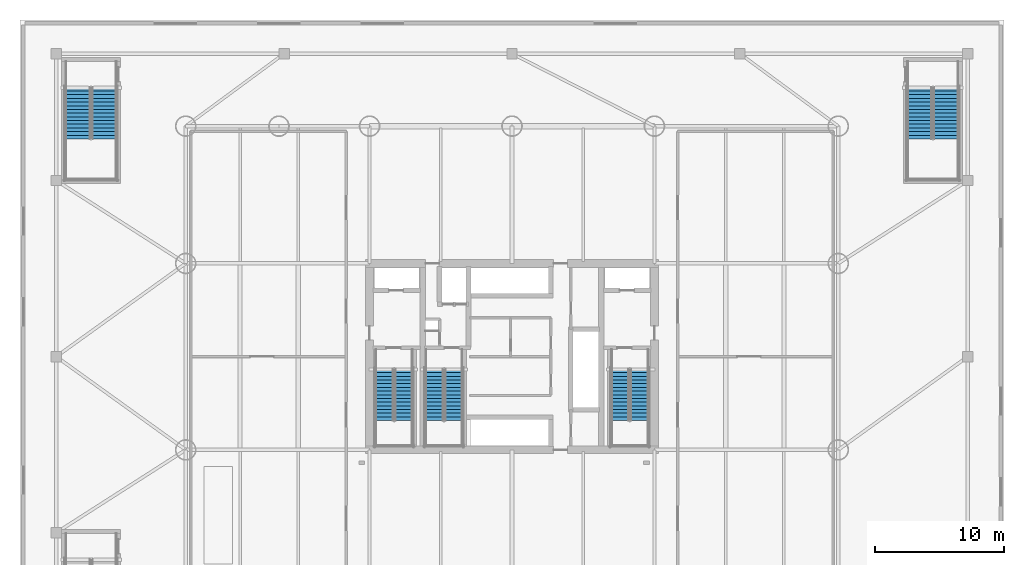
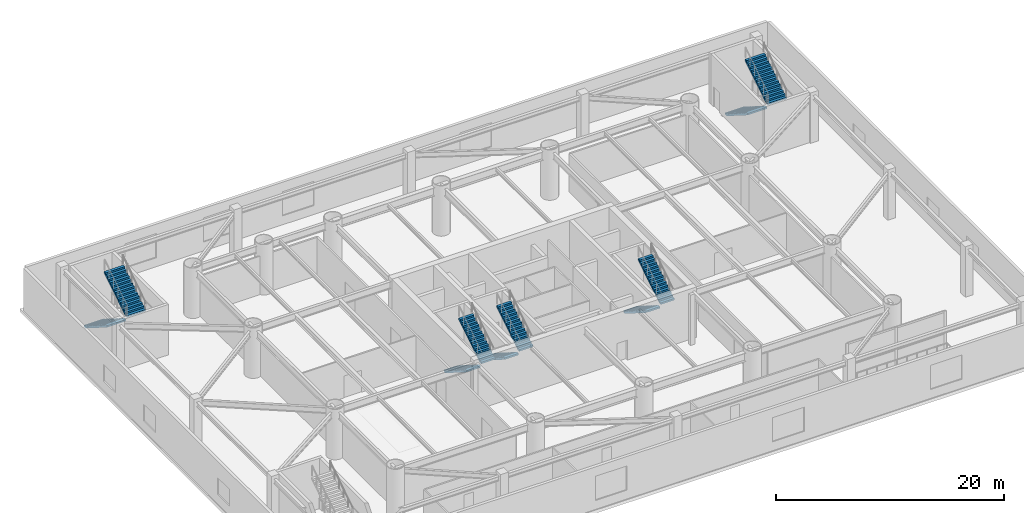
# One storey, part 9 of 16: 10 stair flights, 5 elements without a shape of their own.
"""IFC4 building model written with IfcOpenShell, lengths in metres."""

from ifc_helpers import new_model, si_unit, direction, frame, origin, place, context, subcontext, project, spatial, polyline, outline, extrude, material, type_object, element, aggregate, save


model = new_model("IFC4")

# Units and contexts
model_context = context("Model", 3, precision=1e-05, world=origin(), true_north=direction((0.0, 1.0)))
body_context = subcontext(model_context, "Body", "Model", "MODEL_VIEW")
ifc_project = project(units=[si_unit("LENGTHUNIT", "METRE"), si_unit("AREAUNIT", "SQUARE_METRE"), si_unit("VOLUMEUNIT", "CUBIC_METRE"), si_unit("PLANEANGLEUNIT", "RADIAN"), si_unit("MASSUNIT", "GRAM", prefix="KILO")], contexts=[model_context])

# Site, building, storey
site_placement = place(None, origin())
site = spatial("IfcSite", under=ifc_project, at=site_placement, CompositionType="ELEMENT")
building_placement = place(site_placement, origin())
building = spatial("IfcBuilding", under=site, at=building_placement, Name="Bramvorn Convention Spire", CompositionType="ELEMENT")
storey_placement = place(building_placement, frame((0.0, 0.0, 6.60009765625)))
storey = spatial("IfcBuildingStorey", under=building, at=storey_placement, Name="L01", CompositionType="ELEMENT", Elevation=6.60009765625)

# Stair, stair flights
ifc_material_1 = material(Name="Concrete C40/50 Grand Exit Stair", Category="concrete")
stair_type_1 = type_object("IfcStairType", Name="ST-PODIUM-1950", PredefinedType="HALF_TURN_STAIR", material=ifc_material_1)
stair_1_placement = place(storey_placement, origin())
stair_1 = element("IfcStair", 1, at=stair_1_placement, inside=storey, type_object=stair_type_1, Name="L01 Protected Exit Stair ST5", PredefinedType="HALF_TURN_STAIR")
ifc_material_2 = material(Name="Concrete C40/50 Precast Stair Flight", Category="concrete")
stair_flight_type_1 = type_object("IfcStairFlightType", Name="STF-PODIUM-1950", PredefinedType="STRAIGHT", material=ifc_material_2)
stair_flight_1_placement = place(storey_placement, frame((69.4951171875, 46.800048828125, 0.0), z_axis=(0.0, 0.0, 1.0), x_axis=(0.0, -1.0, 0.0)))
stair_flight_1 = element("IfcStairFlight", 2, at=stair_flight_1_placement, type_object=stair_flight_type_1, Name="ST5 flight 1", NumberOfRisers=15, NumberOfTreads=14, PredefinedType="STRAIGHT", RiserHeight=0.18, TreadLength=0.285, context=body_context, shape_type="SweptSolid", body=[
    extrude(outline(polyline([(0.0, 0.0), (0.0, 0.179931640625), (0.284912109375, 0.179931640625), (0.284912109375, 0.360107421875), (0.570068359375, 0.360107421875), (0.570068359375, 0.5400390625), (0.85498046875, 0.5400390625), (0.85498046875, 0.719970703125), (1.139892578125, 0.719970703125), (1.139892578125, 0.89990234375), (1.425048828125, 0.89990234375), (1.425048828125, 1.080078125), (1.7099609375, 1.080078125), (1.7099609375, 1.260009765625), (1.9951171875, 1.260009765625), (1.9951171875, 1.43994140625), (2.280029296875, 1.43994140625), (2.280029296875, 1.6201171875), (2.56494140625, 1.6201171875), (2.56494140625, 1.800048828125), (2.85009765625, 1.800048828125), (2.85009765625, 1.97998046875), (3.135009765625, 1.97998046875), (3.135009765625, 2.159912109375), (3.419921875, 2.159912109375), (3.419921875, 2.340087890625), (3.705078125, 2.340087890625), (3.705078125, 2.52001953125), (3.989990234375, 2.52001953125), (3.989990234375, 2.699951171875), (3.989990234375, 2.3427734375), (0.28076171875, 0.0), (0.0, 0.0)])), frame((0.0, 0.97509765625, 0.0), z_axis=(0.0, -1.0, 0.0), x_axis=(1.0, 0.0, 0.0)), (0.0, 0.0, 1.0), 1.949951171875),
])
stair_flight_2_placement = place(storey_placement, frame((71.52490234375, 42.81005859375, 2.699951171875), z_axis=(0.0, 0.0, 1.0), x_axis=(0.0, 1.0, 0.0)))
stair_flight_2 = element("IfcStairFlight", 3, at=stair_flight_2_placement, type_object=stair_flight_type_1, Name="ST5 flight 2", NumberOfRisers=15, NumberOfTreads=14, PredefinedType="STRAIGHT", RiserHeight=0.18, TreadLength=0.285, context=body_context, shape_type="SweptSolid", body=[
    extrude(outline(polyline([(0.0, 0.0), (0.0, 0.179931640625), (0.284912109375, 0.179931640625), (0.284912109375, 0.360107421875), (0.570068359375, 0.360107421875), (0.570068359375, 0.5400390625), (0.85498046875, 0.5400390625), (0.85498046875, 0.719970703125), (1.139892578125, 0.719970703125), (1.139892578125, 0.89990234375), (1.425048828125, 0.89990234375), (1.425048828125, 1.080078125), (1.7099609375, 1.080078125), (1.7099609375, 1.260009765625), (1.9951171875, 1.260009765625), (1.9951171875, 1.43994140625), (2.280029296875, 1.43994140625), (2.280029296875, 1.6201171875), (2.56494140625, 1.6201171875), (2.56494140625, 1.800048828125), (2.85009765625, 1.800048828125), (2.85009765625, 1.97998046875), (3.135009765625, 1.97998046875), (3.135009765625, 2.159912109375), (3.419921875, 2.159912109375), (3.419921875, 2.340087890625), (3.705078125, 2.340087890625), (3.705078125, 2.52001953125), (3.989990234375, 2.52001953125), (3.989990234375, 2.699951171875), (3.989990234375, 2.3427734375), (0.28076171875, 0.0), (0.0, 0.0)])), frame((0.0, 0.97509765625, 0.0), z_axis=(0.0, -1.0, 0.0), x_axis=(1.0, 0.0, 0.0)), (0.0, 0.0, 1.0), 1.949951171875),
])
aggregate(stair_1, [stair_flight_1, stair_flight_2])

stair_2_placement = place(storey_placement, origin())
stair_2 = element("IfcStair", 4, at=stair_2_placement, inside=storey, type_object=stair_type_1, Name="L01 Protected Exit Stair ST6", PredefinedType="HALF_TURN_STAIR")
stair_flight_3_placement = place(storey_placement, frame((4.47509765625, 46.800048828125, 0.0), z_axis=(0.0, 0.0, 1.0), x_axis=(0.0, -1.0, 0.0)))
stair_flight_3 = element("IfcStairFlight", 5, at=stair_flight_3_placement, type_object=stair_flight_type_1, Name="ST6 flight 1", NumberOfRisers=15, NumberOfTreads=14, PredefinedType="STRAIGHT", RiserHeight=0.18, TreadLength=0.285, context=body_context, shape_type="SweptSolid", body=[
    extrude(outline(polyline([(0.0, 0.0), (0.0, 0.179931640625), (0.284912109375, 0.179931640625), (0.284912109375, 0.360107421875), (0.570068359375, 0.360107421875), (0.570068359375, 0.5400390625), (0.85498046875, 0.5400390625), (0.85498046875, 0.719970703125), (1.139892578125, 0.719970703125), (1.139892578125, 0.89990234375), (1.425048828125, 0.89990234375), (1.425048828125, 1.080078125), (1.7099609375, 1.080078125), (1.7099609375, 1.260009765625), (1.9951171875, 1.260009765625), (1.9951171875, 1.43994140625), (2.280029296875, 1.43994140625), (2.280029296875, 1.6201171875), (2.56494140625, 1.6201171875), (2.56494140625, 1.800048828125), (2.85009765625, 1.800048828125), (2.85009765625, 1.97998046875), (3.135009765625, 1.97998046875), (3.135009765625, 2.159912109375), (3.419921875, 2.159912109375), (3.419921875, 2.340087890625), (3.705078125, 2.340087890625), (3.705078125, 2.52001953125), (3.989990234375, 2.52001953125), (3.989990234375, 2.699951171875), (3.989990234375, 2.3427734375), (0.28076171875, 0.0), (0.0, 0.0)])), frame((0.0, 0.97509765625, 0.0), z_axis=(0.0, -1.0, 0.0), x_axis=(1.0, 0.0, 0.0)), (0.0, 0.0, 1.0), 1.949951171875),
])
stair_flight_4_placement = place(storey_placement, frame((6.5048828125, 42.81005859375, 2.699951171875), z_axis=(0.0, 0.0, 1.0), x_axis=(0.0, 1.0, 0.0)))
stair_flight_4 = element("IfcStairFlight", 6, at=stair_flight_4_placement, type_object=stair_flight_type_1, Name="ST6 flight 2", NumberOfRisers=15, NumberOfTreads=14, PredefinedType="STRAIGHT", RiserHeight=0.18, TreadLength=0.285, context=body_context, shape_type="SweptSolid", body=[
    extrude(outline(polyline([(0.0, 0.0), (0.0, 0.179931640625), (0.284912109375, 0.179931640625), (0.284912109375, 0.360107421875), (0.570068359375, 0.360107421875), (0.570068359375, 0.5400390625), (0.85498046875, 0.5400390625), (0.85498046875, 0.719970703125), (1.139892578125, 0.719970703125), (1.139892578125, 0.89990234375), (1.425048828125, 0.89990234375), (1.425048828125, 1.080078125), (1.7099609375, 1.080078125), (1.7099609375, 1.260009765625), (1.9951171875, 1.260009765625), (1.9951171875, 1.43994140625), (2.280029296875, 1.43994140625), (2.280029296875, 1.6201171875), (2.56494140625, 1.6201171875), (2.56494140625, 1.800048828125), (2.85009765625, 1.800048828125), (2.85009765625, 1.97998046875), (3.135009765625, 1.97998046875), (3.135009765625, 2.159912109375), (3.419921875, 2.159912109375), (3.419921875, 2.340087890625), (3.705078125, 2.340087890625), (3.705078125, 2.52001953125), (3.989990234375, 2.52001953125), (3.989990234375, 2.699951171875), (3.989990234375, 2.3427734375), (0.28076171875, 0.0), (0.0, 0.0)])), frame((0.0, 0.97509765625, 0.0), z_axis=(0.0, -1.0, 0.0), x_axis=(1.0, 0.0, 0.0)), (0.0, 0.0, 1.0), 1.949951171875),
])
aggregate(stair_2, [stair_flight_3, stair_flight_4])

ifc_material_3 = material(Name="Concrete C40/50 Precast Stair", Category="concrete")
stair_type_2 = type_object("IfcStairType", Name="ST-TOWER-1550", PredefinedType="HALF_TURN_STAIR", material=ifc_material_3)
stair_3_placement = place(storey_placement, origin())
stair_3 = element("IfcStair", 7, at=stair_3_placement, inside=storey, type_object=stair_type_2, Name="L01 Protected Exit Stair ST1", PredefinedType="HALF_TURN_STAIR")
stair_flight_type_2 = type_object("IfcStairFlightType", Name="STF-TOWER-1550", PredefinedType="STRAIGHT", material=ifc_material_2)
stair_flight_5_placement = place(storey_placement, frame((28.155029296875, 25.050048828125, 0.0), z_axis=(0.0, 0.0, 1.0), x_axis=(0.0, -1.0, 0.0)))
stair_flight_5 = element("IfcStairFlight", 8, at=stair_flight_5_placement, type_object=stair_flight_type_2, Name="ST1 flight 1", NumberOfRisers=15, NumberOfTreads=14, PredefinedType="STRAIGHT", RiserHeight=0.18, TreadLength=0.285, context=body_context, shape_type="SweptSolid", body=[
    extrude(outline(polyline([(0.0, 0.0), (0.0, 0.179931640625), (0.284912109375, 0.179931640625), (0.284912109375, 0.360107421875), (0.570068359375, 0.360107421875), (0.570068359375, 0.5400390625), (0.85498046875, 0.5400390625), (0.85498046875, 0.719970703125), (1.139892578125, 0.719970703125), (1.139892578125, 0.89990234375), (1.425048828125, 0.89990234375), (1.425048828125, 1.080078125), (1.7099609375, 1.080078125), (1.7099609375, 1.260009765625), (1.9951171875, 1.260009765625), (1.9951171875, 1.43994140625), (2.280029296875, 1.43994140625), (2.280029296875, 1.6201171875), (2.56494140625, 1.6201171875), (2.56494140625, 1.800048828125), (2.85009765625, 1.800048828125), (2.85009765625, 1.97998046875), (3.135009765625, 1.97998046875), (3.135009765625, 2.159912109375), (3.419921875, 2.159912109375), (3.419921875, 2.340087890625), (3.705078125, 2.340087890625), (3.705078125, 2.52001953125), (3.989990234375, 2.52001953125), (3.989990234375, 2.699951171875), (3.989990234375, 2.3427734375), (0.28076171875, 0.0), (0.0, 0.0)])), frame((0.0, 0.705078125, 0.0), z_axis=(0.0, -1.0, 0.0), x_axis=(1.0, 0.0, 0.0)), (0.0, 0.0, 1.0), 1.409912109375),
])
stair_flight_6_placement = place(storey_placement, frame((29.64501953125, 21.06005859375, 2.699951171875), z_axis=(0.0, 0.0, 1.0), x_axis=(0.0, 1.0, 0.0)))
stair_flight_6 = element("IfcStairFlight", 9, at=stair_flight_6_placement, type_object=stair_flight_type_2, Name="ST1 flight 2", NumberOfRisers=15, NumberOfTreads=14, PredefinedType="STRAIGHT", RiserHeight=0.18, TreadLength=0.285, context=body_context, shape_type="SweptSolid", body=[
    extrude(outline(polyline([(0.0, 0.0), (0.0, 0.179931640625), (0.284912109375, 0.179931640625), (0.284912109375, 0.360107421875), (0.570068359375, 0.360107421875), (0.570068359375, 0.5400390625), (0.85498046875, 0.5400390625), (0.85498046875, 0.719970703125), (1.139892578125, 0.719970703125), (1.139892578125, 0.89990234375), (1.425048828125, 0.89990234375), (1.425048828125, 1.080078125), (1.7099609375, 1.080078125), (1.7099609375, 1.260009765625), (1.9951171875, 1.260009765625), (1.9951171875, 1.43994140625), (2.280029296875, 1.43994140625), (2.280029296875, 1.6201171875), (2.56494140625, 1.6201171875), (2.56494140625, 1.800048828125), (2.85009765625, 1.800048828125), (2.85009765625, 1.97998046875), (3.135009765625, 1.97998046875), (3.135009765625, 2.159912109375), (3.419921875, 2.159912109375), (3.419921875, 2.340087890625), (3.705078125, 2.340087890625), (3.705078125, 2.52001953125), (3.989990234375, 2.52001953125), (3.989990234375, 2.699951171875), (3.989990234375, 2.3427734375), (0.28076171875, 0.0), (0.0, 0.0)])), frame((0.0, 0.705078125, 0.0), z_axis=(0.0, -1.0, 0.0), x_axis=(1.0, 0.0, 0.0)), (0.0, 0.0, 1.0), 1.409912109375),
])
aggregate(stair_3, [stair_flight_5, stair_flight_6])

stair_4_placement = place(storey_placement, origin())
stair_4 = element("IfcStair", 10, at=stair_4_placement, inside=storey, type_object=stair_type_2, Name="L01 Protected Exit Stair ST2", PredefinedType="HALF_TURN_STAIR")
stair_flight_7_placement = place(storey_placement, frame((46.35498046875, 25.050048828125, 0.0), z_axis=(0.0, 0.0, 1.0), x_axis=(0.0, -1.0, 0.0)))
stair_flight_7 = element("IfcStairFlight", 11, at=stair_flight_7_placement, type_object=stair_flight_type_2, Name="ST2 flight 1", NumberOfRisers=15, NumberOfTreads=14, PredefinedType="STRAIGHT", RiserHeight=0.18, TreadLength=0.285, context=body_context, shape_type="SweptSolid", body=[
    extrude(outline(polyline([(0.0, 0.0), (0.0, 0.179931640625), (0.284912109375, 0.179931640625), (0.284912109375, 0.360107421875), (0.570068359375, 0.360107421875), (0.570068359375, 0.5400390625), (0.85498046875, 0.5400390625), (0.85498046875, 0.719970703125), (1.139892578125, 0.719970703125), (1.139892578125, 0.89990234375), (1.425048828125, 0.89990234375), (1.425048828125, 1.080078125), (1.7099609375, 1.080078125), (1.7099609375, 1.260009765625), (1.9951171875, 1.260009765625), (1.9951171875, 1.43994140625), (2.280029296875, 1.43994140625), (2.280029296875, 1.6201171875), (2.56494140625, 1.6201171875), (2.56494140625, 1.800048828125), (2.85009765625, 1.800048828125), (2.85009765625, 1.97998046875), (3.135009765625, 1.97998046875), (3.135009765625, 2.159912109375), (3.419921875, 2.159912109375), (3.419921875, 2.340087890625), (3.705078125, 2.340087890625), (3.705078125, 2.52001953125), (3.989990234375, 2.52001953125), (3.989990234375, 2.699951171875), (3.989990234375, 2.3427734375), (0.28076171875, 0.0), (0.0, 0.0)])), frame((0.0, 0.705078125, 0.0), z_axis=(0.0, -1.0, 0.0), x_axis=(1.0, 0.0, 0.0)), (0.0, 0.0, 1.0), 1.409912109375),
])
stair_flight_8_placement = place(storey_placement, frame((47.844970703125, 21.06005859375, 2.699951171875), z_axis=(0.0, 0.0, 1.0), x_axis=(0.0, 1.0, 0.0)))
stair_flight_8 = element("IfcStairFlight", 12, at=stair_flight_8_placement, type_object=stair_flight_type_2, Name="ST2 flight 2", NumberOfRisers=15, NumberOfTreads=14, PredefinedType="STRAIGHT", RiserHeight=0.18, TreadLength=0.285, context=body_context, shape_type="SweptSolid", body=[
    extrude(outline(polyline([(0.0, 0.0), (0.0, 0.179931640625), (0.284912109375, 0.179931640625), (0.284912109375, 0.360107421875), (0.570068359375, 0.360107421875), (0.570068359375, 0.5400390625), (0.85498046875, 0.5400390625), (0.85498046875, 0.719970703125), (1.139892578125, 0.719970703125), (1.139892578125, 0.89990234375), (1.425048828125, 0.89990234375), (1.425048828125, 1.080078125), (1.7099609375, 1.080078125), (1.7099609375, 1.260009765625), (1.9951171875, 1.260009765625), (1.9951171875, 1.43994140625), (2.280029296875, 1.43994140625), (2.280029296875, 1.6201171875), (2.56494140625, 1.6201171875), (2.56494140625, 1.800048828125), (2.85009765625, 1.800048828125), (2.85009765625, 1.97998046875), (3.135009765625, 1.97998046875), (3.135009765625, 2.159912109375), (3.419921875, 2.159912109375), (3.419921875, 2.340087890625), (3.705078125, 2.340087890625), (3.705078125, 2.52001953125), (3.989990234375, 2.52001953125), (3.989990234375, 2.699951171875), (3.989990234375, 2.3427734375), (0.28076171875, 0.0), (0.0, 0.0)])), frame((0.0, 0.705078125, 0.0), z_axis=(0.0, -1.0, 0.0), x_axis=(1.0, 0.0, 0.0)), (0.0, 0.0, 1.0), 1.409912109375),
])
aggregate(stair_4, [stair_flight_7, stair_flight_8])

stair_5_placement = place(storey_placement, origin())
stair_5 = element("IfcStair", 13, at=stair_5_placement, inside=storey, type_object=stair_type_2, Name="L01 Protected Exit Stair ST3", PredefinedType="HALF_TURN_STAIR")
stair_flight_9_placement = place(storey_placement, frame((32.0048828125, 25.050048828125, 0.0), z_axis=(0.0, 0.0, 1.0), x_axis=(0.0, -1.0, 0.0)))
stair_flight_9 = element("IfcStairFlight", 14, at=stair_flight_9_placement, type_object=stair_flight_type_2, Name="ST3 flight 1", NumberOfRisers=15, NumberOfTreads=14, PredefinedType="STRAIGHT", RiserHeight=0.18, TreadLength=0.285, context=body_context, shape_type="SweptSolid", body=[
    extrude(outline(polyline([(0.0, 0.0), (0.0, 0.179931640625), (0.284912109375, 0.179931640625), (0.284912109375, 0.360107421875), (0.570068359375, 0.360107421875), (0.570068359375, 0.5400390625), (0.85498046875, 0.5400390625), (0.85498046875, 0.719970703125), (1.139892578125, 0.719970703125), (1.139892578125, 0.89990234375), (1.425048828125, 0.89990234375), (1.425048828125, 1.080078125), (1.7099609375, 1.080078125), (1.7099609375, 1.260009765625), (1.9951171875, 1.260009765625), (1.9951171875, 1.43994140625), (2.280029296875, 1.43994140625), (2.280029296875, 1.6201171875), (2.56494140625, 1.6201171875), (2.56494140625, 1.800048828125), (2.85009765625, 1.800048828125), (2.85009765625, 1.97998046875), (3.135009765625, 1.97998046875), (3.135009765625, 2.159912109375), (3.419921875, 2.159912109375), (3.419921875, 2.340087890625), (3.705078125, 2.340087890625), (3.705078125, 2.52001953125), (3.989990234375, 2.52001953125), (3.989990234375, 2.699951171875), (3.989990234375, 2.3427734375), (0.28076171875, 0.0), (0.0, 0.0)])), frame((0.0, 0.705078125, 0.0), z_axis=(0.0, -1.0, 0.0), x_axis=(1.0, 0.0, 0.0)), (0.0, 0.0, 1.0), 1.409912109375),
])
stair_flight_10_placement = place(storey_placement, frame((33.4951171875, 21.06005859375, 2.699951171875), z_axis=(0.0, 0.0, 1.0), x_axis=(0.0, 1.0, 0.0)))
stair_flight_10 = element("IfcStairFlight", 15, at=stair_flight_10_placement, type_object=stair_flight_type_2, Name="ST3 flight 2", NumberOfRisers=15, NumberOfTreads=14, PredefinedType="STRAIGHT", RiserHeight=0.18, TreadLength=0.285, context=body_context, shape_type="SweptSolid", body=[
    extrude(outline(polyline([(0.0, 0.0), (0.0, 0.179931640625), (0.284912109375, 0.179931640625), (0.284912109375, 0.360107421875), (0.570068359375, 0.360107421875), (0.570068359375, 0.5400390625), (0.85498046875, 0.5400390625), (0.85498046875, 0.719970703125), (1.139892578125, 0.719970703125), (1.139892578125, 0.89990234375), (1.425048828125, 0.89990234375), (1.425048828125, 1.080078125), (1.7099609375, 1.080078125), (1.7099609375, 1.260009765625), (1.9951171875, 1.260009765625), (1.9951171875, 1.43994140625), (2.280029296875, 1.43994140625), (2.280029296875, 1.6201171875), (2.56494140625, 1.6201171875), (2.56494140625, 1.800048828125), (2.85009765625, 1.800048828125), (2.85009765625, 1.97998046875), (3.135009765625, 1.97998046875), (3.135009765625, 2.159912109375), (3.419921875, 2.159912109375), (3.419921875, 2.340087890625), (3.705078125, 2.340087890625), (3.705078125, 2.52001953125), (3.989990234375, 2.52001953125), (3.989990234375, 2.699951171875), (3.989990234375, 2.3427734375), (0.28076171875, 0.0), (0.0, 0.0)])), frame((0.0, 0.705078125, 0.0), z_axis=(0.0, -1.0, 0.0), x_axis=(1.0, 0.0, 0.0)), (0.0, 0.0, 1.0), 1.409912109375),
])
aggregate(stair_5, [stair_flight_9, stair_flight_10])

save(model, "model.ifc")
